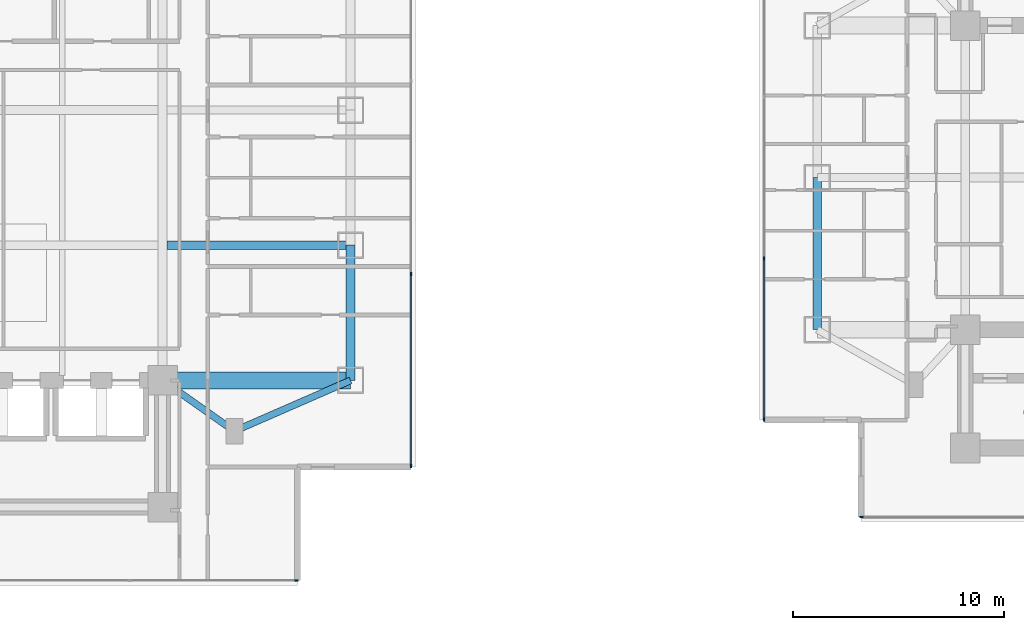
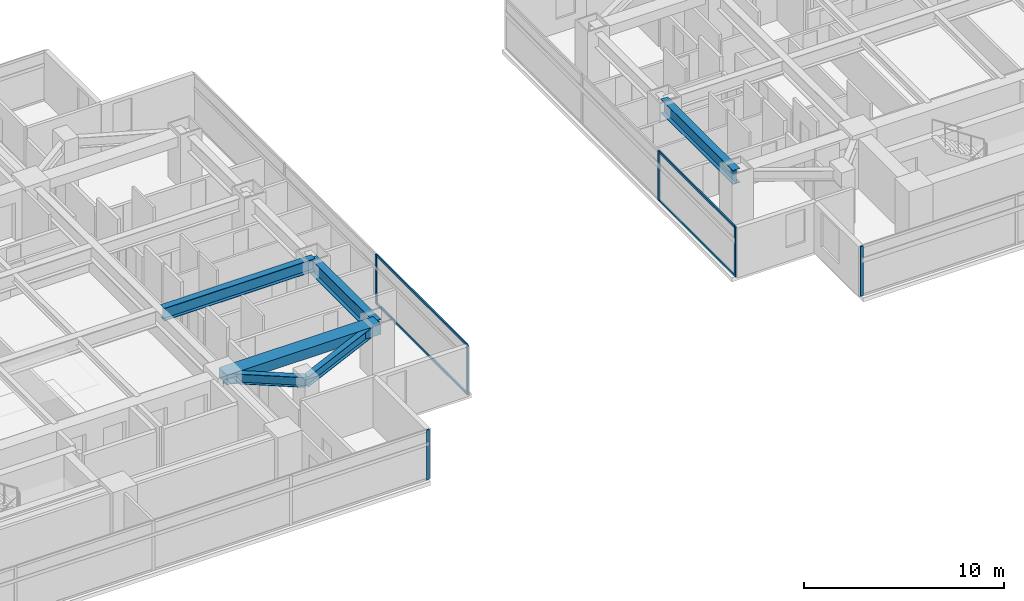
# One storey, part 4 of 26: 10 members, 6 beams, 4 elements without a shape of their own.
"""IFC4 building model written with IfcOpenShell, lengths in metres."""

from ifc_helpers import new_model, si_unit, direction, frame, origin, origin_2d, place, context, subcontext, project, spatial, rectangle, i_section, extrude, material, material_profile, profile_set, type_object, element, aggregate, save


model = new_model("IFC4")

# Units and contexts
model_context = context("Model", 3, precision=1e-05, world=origin(), true_north=direction((0.0, 1.0)))
body_context = subcontext(model_context, "Body", "Model", "MODEL_VIEW")
ifc_project = project(units=[si_unit("LENGTHUNIT", "METRE"), si_unit("AREAUNIT", "SQUARE_METRE"), si_unit("VOLUMEUNIT", "CUBIC_METRE"), si_unit("PLANEANGLEUNIT", "RADIAN"), si_unit("MASSUNIT", "GRAM", prefix="KILO")], contexts=[model_context])

# Site, building, storey
site_placement = place(None, origin())
site = spatial("IfcSite", under=ifc_project, at=site_placement, CompositionType="ELEMENT")
building_placement = place(site_placement, origin())
building = spatial("IfcBuilding", under=site, at=building_placement, Name="Mirazonda Arch Towers", CompositionType="ELEMENT")
storey_placement = place(building_placement, frame((0.0, 0.0, 25.699951171875)))
storey = spatial("IfcBuildingStorey", under=building, at=storey_placement, Name="L06", CompositionType="ELEMENT", Elevation=25.699951171875)

# Beams
ifc_material_1 = material(Name="Steel ASTM A992 Grade 50", Category="steel")
ifc_material_profile_1 = material_profile(ifc_material_1, i_section(OverallWidth=0.39990234375, OverallDepth=0.85595703125, WebThickness=0.018310546875, FlangeThickness=0.029296875, at=origin_2d()), Name="W33X201")
ifc_profile_set_1 = profile_set([ifc_material_profile_1], Name="Steel ASTM A992 Grade 50")
beam_type_1 = type_object("IfcBeamType", Name="BM-EXT-W33X201", PredefinedType="USERDEFINED", material=ifc_profile_set_1)
beam_1_placement = place(storey_placement, frame((61.0, 20.800048828125, 2.632080078125), z_axis=(0.0, 1.0, 0.0), x_axis=(-1.0, 0.0, 0.0)))
element("IfcBeam", 1, at=beam_1_placement, inside=storey, type_object=beam_type_1, Name="L06 Floor Beam BM-T2-L06-NS-W-20", ObjectType="GIRDER", PredefinedType="USERDEFINED", context=body_context, shape_type="SweptSolid", body=[
    extrude(i_section(OverallWidth=0.39990234375, OverallDepth=0.85595703125, WebThickness=0.018310546875, FlangeThickness=0.029296875, at=origin_2d()), origin(), (0.0, 0.0, 1.0), 7.199951171875),
])
ifc_material_profile_2 = material_profile(ifc_material_1, i_section(OverallWidth=0.41796875, OverallDepth=0.927001953125, WebThickness=0.019287109375, FlangeThickness=0.031982421875, at=origin_2d()), Name="W36X231")
ifc_profile_set_2 = profile_set([ifc_material_profile_2], Name="Steel ASTM A992 Grade 50")
beam_type_2 = type_object("IfcBeamType", Name="BM-EXT-W36X231", PredefinedType="USERDEFINED", material=ifc_profile_set_2)
beam_2_placement = place(storey_placement, frame((38.89990234375, 18.39990234375, 2.596435546875), z_axis=(0.0, 1.0, 0.0), x_axis=(-1.0, 0.0, 0.0)))
element("IfcBeam", 2, at=beam_2_placement, inside=storey, type_object=beam_type_2, Name="L06 Floor Beam BM-T1-L06-NS-E-18", ObjectType="GIRDER", PredefinedType="USERDEFINED", context=body_context, shape_type="SweptSolid", body=[
    extrude(i_section(OverallWidth=0.41796875, OverallDepth=0.927001953125, WebThickness=0.019287109375, FlangeThickness=0.031982421875, at=origin_2d()), origin(), (0.0, 0.0, 1.0), 6.400146484375),
])
ifc_material_profile_3 = material_profile(ifc_material_1, i_section(OverallWidth=0.324951171875, OverallDepth=0.615966796875, WebThickness=0.013916015625, FlangeThickness=0.021484375, at=origin_2d()), Name="W24X117")
ifc_profile_set_3 = profile_set([ifc_material_profile_3], Name="Steel ASTM A992 Grade 50")
beam_type_3 = type_object("IfcBeamType", Name="BM-INT-W24X117", PredefinedType="BEAM", material=ifc_profile_set_3)
beam_3_placement = place(storey_placement, frame((33.39990234375, 16.0, 2.751953125), z_axis=(-0.816971114901, 0.576678591087, 0.0), x_axis=(-0.576678591087, -0.816971114901, 0.0)))
element("IfcBeam", 3, at=beam_3_placement, inside=storey, type_object=beam_type_3, Name="L06 Floor Beam BM-T1-L06-PL-SE1", PredefinedType="BEAM", context=body_context, shape_type="SweptSolid", body=[
    extrude(i_section(OverallWidth=0.324951171875, OverallDepth=0.615966796875, WebThickness=0.013916015625, FlangeThickness=0.021484375, at=origin_2d()), origin(), (0.0, 0.0, 1.0), 4.16162109375),
])
beam_4_placement = place(storey_placement, frame((33.39990234375, 16.0, 2.751953125), z_axis=(0.916545343703, 0.399930785183, 0.0), x_axis=(-0.399930785183, 0.916545343703, 0.0)))
element("IfcBeam", 4, at=beam_4_placement, inside=storey, type_object=beam_type_3, Name="L06 Floor Beam BM-T1-L06-PL-SE2", PredefinedType="BEAM", context=body_context, shape_type="SweptSolid", body=[
    extrude(i_section(OverallWidth=0.324951171875, OverallDepth=0.615966796875, WebThickness=0.013916015625, FlangeThickness=0.021484375, at=origin_2d()), origin(), (0.0, 0.0, 1.0), 6.000732421875),
])
ifc_material_profile_4 = material_profile(ifc_material_1, i_section(OverallWidth=0.381103515625, OverallDepth=0.77294921875, WebThickness=0.0166015625, FlangeThickness=0.027099609375, at=origin_2d()), Name="W30X173")
ifc_profile_set_4 = profile_set([ifc_material_profile_4], Name="Steel ASTM A992 Grade 50")
beam_type_4 = type_object("IfcBeamType", Name="BM-INT-W30X173", PredefinedType="USERDEFINED", material=ifc_profile_set_4)
beam_5_placement = place(storey_placement, frame((30.21142578125, 24.800048828125, 2.673583984375), z_axis=(1.0, 0.0, 0.0), x_axis=(0.0, 1.0, 0.0)))
element("IfcBeam", 5, at=beam_5_placement, inside=storey, type_object=beam_type_4, Name="L06 Floor Beam BM-T1-L06-GE2", ObjectType="GIRDER", PredefinedType="USERDEFINED", context=body_context, shape_type="SweptSolid", body=[
    extrude(i_section(OverallWidth=0.381103515625, OverallDepth=0.77294921875, WebThickness=0.0166015625, FlangeThickness=0.027099609375, at=origin_2d()), origin(), (0.0, 0.0, 1.0), 8.6884765625),
])
ifc_material_2 = material(Name="Concrete C60/75", Category="concrete")
ifc_material_profile_5 = material_profile(ifc_material_2, rectangle(XDim=0.800048828125, YDim=0.60009765625, at=origin_2d()), Name="RCCB800x600")
ifc_profile_set_5 = profile_set([ifc_material_profile_5], Name="Concrete C60/75")
beam_type_5 = type_object("IfcBeamType", Name="CB-INT-RCCB800x600", PredefinedType="SPANDREL", material=ifc_profile_set_5)
beam_6_placement = place(storey_placement, frame((30.0, 18.39990234375, 2.760009765625), z_axis=(1.0, 0.0, 0.0), x_axis=(0.0, 1.0, 0.0)))
element("IfcBeam", 6, at=beam_6_placement, inside=storey, type_object=beam_type_5, Name="L06 Floor Beam CBC-T1-L06-SE", PredefinedType="SPANDREL", context=body_context, shape_type="SweptSolid", body=[
    extrude(rectangle(XDim=0.800048828125, YDim=0.60009765625, at=origin_2d()), origin(), (0.0, 0.0, 1.0), 8.89990234375),
])

# Curtain wall, member
ifc_material_3 = material(Name="Anodised Aluminium and Low-E Glass", Category="aluminium")
curtain_wall_type = type_object("IfcCurtainWallType", Name="CW-HTL-UNIT", PredefinedType="NOTDEFINED", material=ifc_material_3)
curtain_wall_1_placement = place(storey_placement, origin())
curtain_wall_1 = element("IfcCurtainWall", 7, at=curtain_wall_1_placement, inside=storey, type_object=curtain_wall_type, Name="L06 T1 S Facade CW-L06-T1-S", PredefinedType="NOTDEFINED")
ifc_material_4 = material(Name="Anodised Aluminium Alloy", Category="aluminium")
ifc_material_profile_6 = material_profile(ifc_material_4, rectangle(XDim=0.074951171875, YDim=0.1650390625, at=origin_2d()), Name="ALU-MULL-75x165")
ifc_profile_set_6 = profile_set([ifc_material_profile_6], Name="Anodised Aluminium Alloy")
member_type_1 = type_object("IfcMemberType", Name="MULL-CW-HTL-UNIT", PredefinedType="MULLION", material=ifc_profile_set_6)
member_1_placement = place(storey_placement, frame((36.342529296875, 8.922119140625, 0.0), z_axis=(0.0, 0.0, 1.0), x_axis=(0.0, -1.0, 0.0)))
member_1 = element("IfcMember", 8, at=member_1_placement, type_object=member_type_1, Name="CW-112 mullion 1", PredefinedType="MULLION", context=body_context, shape_type="SweptSolid", body=[
    extrude(rectangle(XDim=0.074951171875, YDim=0.1650390625, at=origin_2d()), origin(), (0.0, 0.0, 1.0), 3.0400390625),
])
aggregate(curtain_wall_1, [member_1])

# Curtain wall, members
curtain_wall_2_placement = place(storey_placement, origin())
curtain_wall_2 = element("IfcCurtainWall", 9, at=curtain_wall_2_placement, inside=storey, type_object=curtain_wall_type, Name="L06 T1 E Facade CW-L06-T1-E", PredefinedType="NOTDEFINED")
member_2_placement = place(storey_placement, frame((41.760009765625, 14.339599609375, 0.0), z_axis=(0.0, 0.0, 1.0), x_axis=(-1.0, 0.0, 0.0)))
member_2 = element("IfcMember", 10, at=member_2_placement, type_object=member_type_1, Name="CW-112 mullion 1", PredefinedType="MULLION", context=body_context, shape_type="SweptSolid", body=[
    extrude(rectangle(XDim=0.074951171875, YDim=0.1650390625, at=origin_2d()), origin(), (0.0, 0.0, 1.0), 3.0400390625),
])
member_3_placement = place(storey_placement, frame((41.760009765625, 23.43408203125, 0.0), z_axis=(0.0, 0.0, 1.0), x_axis=(-1.0, 0.0, 0.0)))
member_3 = element("IfcMember", 11, at=member_3_placement, type_object=member_type_1, Name="CW-112 mullion 2", PredefinedType="MULLION", context=body_context, shape_type="SweptSolid", body=[
    extrude(rectangle(XDim=0.074951171875, YDim=0.1650390625, at=origin_2d()), origin(), (0.0, 0.0, 1.0), 3.0400390625),
])

# Curtain wall, member
curtain_wall_3_placement = place(storey_placement, origin())
curtain_wall_3 = element("IfcCurtainWall", 12, at=curtain_wall_3_placement, inside=storey, type_object=curtain_wall_type, Name="L06 T2 S Facade CW-L06-T2-S", PredefinedType="NOTDEFINED")
member_4_placement = place(storey_placement, frame((63.099609375, 11.936767578125, 0.0), z_axis=(0.0, 0.0, 1.0), x_axis=(0.0, -1.0, 0.0)))
member_4 = element("IfcMember", 13, at=member_4_placement, type_object=member_type_1, Name="CW-112 mullion 4", PredefinedType="MULLION", context=body_context, shape_type="SweptSolid", body=[
    extrude(rectangle(XDim=0.074951171875, YDim=0.1650390625, at=origin_2d()), origin(), (0.0, 0.0, 1.0), 3.0400390625),
])
aggregate(curtain_wall_3, [member_4])

# Curtain wall, members
curtain_wall_4_placement = place(storey_placement, origin())
curtain_wall_4 = element("IfcCurtainWall", 14, at=curtain_wall_4_placement, inside=storey, type_object=curtain_wall_type, Name="L06 T2 W Facade CW-L06-T2-W", PredefinedType="NOTDEFINED")
member_5_placement = place(storey_placement, frame((58.48193359375, 24.172119140625, 0.0), z_axis=(0.0, 0.0, 1.0), x_axis=(1.0, 0.0, 0.0)))
member_5 = element("IfcMember", 15, at=member_5_placement, type_object=member_type_1, Name="CW-112 mullion 3", PredefinedType="MULLION", context=body_context, shape_type="SweptSolid", body=[
    extrude(rectangle(XDim=0.074951171875, YDim=0.1650390625, at=origin_2d()), origin(), (0.0, 0.0, 1.0), 3.0400390625),
])
member_6_placement = place(storey_placement, frame((58.48193359375, 16.55419921875, 0.0), z_axis=(0.0, 0.0, 1.0), x_axis=(1.0, 0.0, 0.0)))
member_6 = element("IfcMember", 16, at=member_6_placement, type_object=member_type_1, Name="CW-112 mullion 4", PredefinedType="MULLION", context=body_context, shape_type="SweptSolid", body=[
    extrude(rectangle(XDim=0.074951171875, YDim=0.1650390625, at=origin_2d()), origin(), (0.0, 0.0, 1.0), 3.0400390625),
])

# Member
ifc_material_profile_7 = material_profile(ifc_material_4, rectangle(XDim=0.074951171875, YDim=0.14501953125, at=origin_2d()), Name="ALU-TRAN-75x145")
ifc_profile_set_7 = profile_set([ifc_material_profile_7], Name="Anodised Aluminium Alloy")
member_type_2 = type_object("IfcMemberType", Name="TRAN-CW-HTL-UNIT", PredefinedType="USERDEFINED", material=ifc_profile_set_7)
member_7_placement = place(storey_placement, frame((41.760009765625, 14.376953125, 0.03759765625), z_axis=(0.0, 1.0, 0.0), x_axis=(-1.0, 0.0, 0.0)))
member_7 = element("IfcMember", 17, at=member_7_placement, type_object=member_type_2, Name="CW-112 transom 1.1", ObjectType="TRANSOM", PredefinedType="USERDEFINED", context=body_context, shape_type="SweptSolid", body=[
    extrude(rectangle(XDim=0.074951171875, YDim=0.14501953125, at=origin_2d()), origin(), (0.0, 0.0, 1.0), 9.01953125),
])

member_8_placement = place(storey_placement, frame((41.760009765625, 14.376953125, 3.00244140625), z_axis=(0.0, 1.0, 0.0), x_axis=(-1.0, 0.0, 0.0)))
member_8 = element("IfcMember", 18, at=member_8_placement, type_object=member_type_2, Name="CW-112 transom 1.2", ObjectType="TRANSOM", PredefinedType="USERDEFINED", context=body_context, shape_type="SweptSolid", body=[
    extrude(rectangle(XDim=0.074951171875, YDim=0.14501953125, at=origin_2d()), origin(), (0.0, 0.0, 1.0), 9.01953125),
])

aggregate(curtain_wall_2, [member_2, member_3, member_7, member_8])

member_9_placement = place(storey_placement, frame((58.48193359375, 24.134765625, 0.03759765625), z_axis=(0.0, -1.0, 0.0), x_axis=(1.0, 0.0, 0.0)))
member_9 = element("IfcMember", 19, at=member_9_placement, type_object=member_type_2, Name="CW-112 transom 3.1", ObjectType="TRANSOM", PredefinedType="USERDEFINED", context=body_context, shape_type="SweptSolid", body=[
    extrude(rectangle(XDim=0.074951171875, YDim=0.14501953125, at=origin_2d()), origin(), (0.0, 0.0, 1.0), 7.54296875),
])

member_10_placement = place(storey_placement, frame((58.48193359375, 24.134765625, 3.00244140625), z_axis=(0.0, -1.0, 0.0), x_axis=(1.0, 0.0, 0.0)))
member_10 = element("IfcMember", 20, at=member_10_placement, type_object=member_type_2, Name="CW-112 transom 3.2", ObjectType="TRANSOM", PredefinedType="USERDEFINED", context=body_context, shape_type="SweptSolid", body=[
    extrude(rectangle(XDim=0.074951171875, YDim=0.14501953125, at=origin_2d()), origin(), (0.0, 0.0, 1.0), 7.54296875),
])

aggregate(curtain_wall_4, [member_5, member_6, member_9, member_10])

save(model, "model.ifc")
